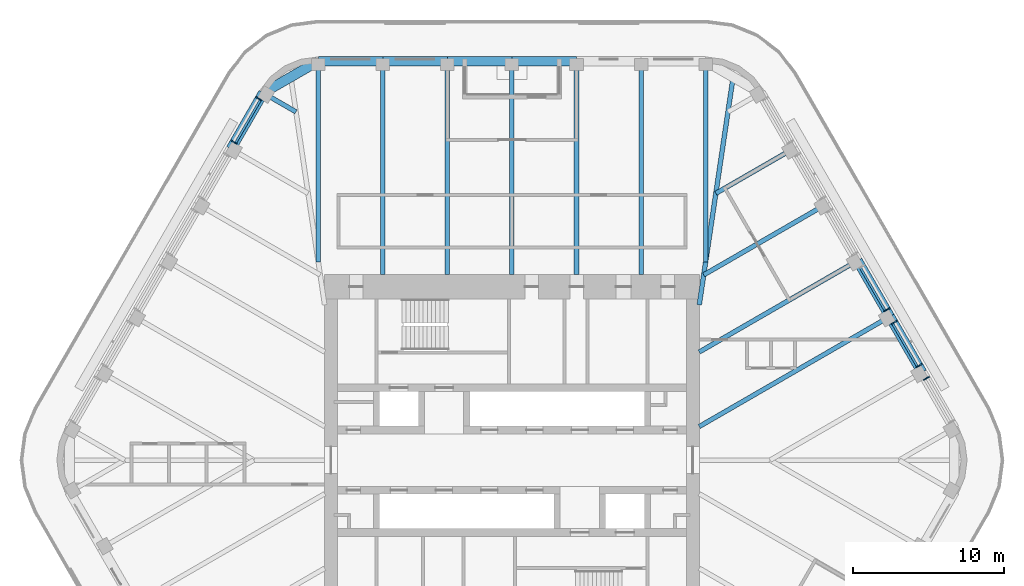
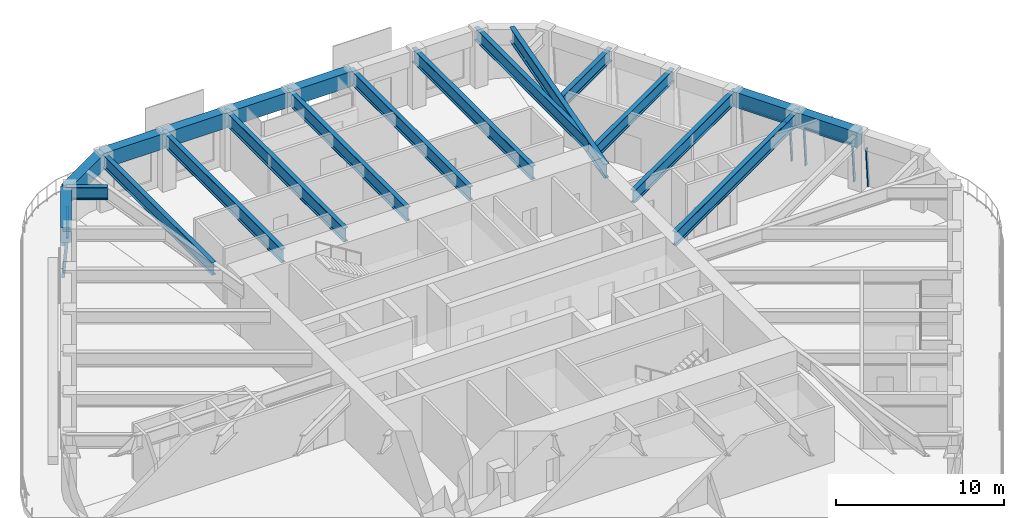
# One storey, part 9 of 19: 21 beams, 9 members, 4 elements without a shape of their own.
"""IFC4 building model written with IfcOpenShell, lengths in metres."""

from ifc_helpers import new_model, si_unit, direction, frame, origin, origin_2d, place, context, subcontext, project, spatial, rectangle, i_section, extrude, material, material_profile, profile_set, type_object, element, aggregate, save


model = new_model("IFC4")

# Units and contexts
model_context = context("Model", 3, precision=1e-05, world=origin(), true_north=direction((0.0, 1.0)))
body_context = subcontext(model_context, "Body", "Model", "MODEL_VIEW")
ifc_project = project(units=[si_unit("LENGTHUNIT", "METRE"), si_unit("AREAUNIT", "SQUARE_METRE"), si_unit("VOLUMEUNIT", "CUBIC_METRE"), si_unit("PLANEANGLEUNIT", "RADIAN"), si_unit("MASSUNIT", "GRAM", prefix="KILO")], contexts=[model_context])

# Site, building, storey
site_placement = place(None, origin())
site = spatial("IfcSite", under=ifc_project, at=site_placement, CompositionType="ELEMENT")
building_placement = place(site_placement, origin())
building = spatial("IfcBuilding", under=site, at=building_placement, Name="Tarfa Lantern Tower", CompositionType="ELEMENT")
storey_placement = place(building_placement, frame((0.0, 0.0, 357.699951171875)))
storey = spatial("IfcBuildingStorey", under=building, at=storey_placement, Name="L81", CompositionType="ELEMENT", Elevation=357.699951171875)

# Curtain wall, member
ifc_material_1 = material(Name="Aluminium framed curtain wall", Category="aluminium")
curtain_wall_type = type_object("IfcCurtainWallType", Name="CW4 CANTED GLAZING EXECUTIVE ZONE 2900", PredefinedType="USERDEFINED", material=ifc_material_1)
curtain_wall_1_placement = place(storey_placement, origin())
curtain_wall_1 = element("IfcCurtainWall", 1, at=curtain_wall_1_placement, inside=storey, type_object=curtain_wall_type, Name="CW4 NE L81", ObjectType="CURTAIN WALL", PredefinedType="USERDEFINED")
ifc_material_2 = material(Name="Aluminium mullion", Category="aluminium")
ifc_material_profile_1 = material_profile(ifc_material_2, rectangle(XDim=0.06494140625, YDim=0.199951171875, at=origin_2d()), Name="AL MULLION 65x200")
ifc_profile_set_1 = profile_set([ifc_material_profile_1], Name="Aluminium mullion")
member_type_1 = type_object("IfcMemberType", Name="CWM1 MULLION 65x200", PredefinedType="MULLION", material=ifc_profile_set_1)
member_1_placement = place(storey_placement, frame((27.602783203125, 5.490478515625, 0.0), z_axis=(-0.074393603155, -0.042941967097, 0.996303959277), x_axis=(0.499919672301, -0.866071776036, 0.0)))
member_1 = element("IfcMember", 2, at=member_1_placement, type_object=member_type_1, Name="CW4 mullion 2", PredefinedType="MULLION", context=body_context, shape_type="SweptSolid", body=[
    extrude(rectangle(XDim=0.06494140625, YDim=0.199951171875, at=origin_2d()), origin(), (0.0, 0.0, 1.0), 2.910888671875),
])
aggregate(curtain_wall_1, [member_1])

# Curtain wall, members
curtain_wall_2_placement = place(storey_placement, origin())
curtain_wall_2 = element("IfcCurtainWall", 3, at=curtain_wall_2_placement, inside=storey, type_object=curtain_wall_type, Name="CW4 NE L81", ObjectType="CURTAIN WALL", PredefinedType="USERDEFINED")
member_2_placement = place(storey_placement, frame((27.120361328125, 6.326171875, 0.0), z_axis=(-0.074393603155, -0.042941967097, 0.996303959277), x_axis=(0.499919672301, -0.866071776036, 0.0)))
member_2 = element("IfcMember", 4, at=member_2_placement, type_object=member_type_1, Name="CW4 mullion 1", PredefinedType="MULLION", context=body_context, shape_type="SweptSolid", body=[
    extrude(rectangle(XDim=0.06494140625, YDim=0.199951171875, at=origin_2d()), origin(), (0.0, 0.0, 1.0), 2.910888671875),
])
member_3_placement = place(storey_placement, frame((25.4619140625, 9.19873046875, 0.0), z_axis=(-0.074393603155, -0.042941967097, 0.996303959277), x_axis=(0.499919672301, -0.866071776036, 0.0)))
member_3 = element("IfcMember", 5, at=member_3_placement, type_object=member_type_1, Name="CW4 mullion 2", PredefinedType="MULLION", context=body_context, shape_type="SweptSolid", body=[
    extrude(rectangle(XDim=0.06494140625, YDim=0.199951171875, at=origin_2d()), origin(), (0.0, 0.0, 1.0), 2.910888671875),
])

# Curtain wall, member
curtain_wall_3_placement = place(storey_placement, origin())
curtain_wall_3 = element("IfcCurtainWall", 6, at=curtain_wall_3_placement, inside=storey, type_object=curtain_wall_type, Name="CW4 NE L81", ObjectType="CURTAIN WALL", PredefinedType="USERDEFINED")
member_4_placement = place(storey_placement, frame((24.979248046875, 10.034423828125, 0.0), z_axis=(-0.074310195522, -0.042942234884, 0.996310172238), x_axis=(0.500342721131, -0.865827443207, 0.0)))
member_4 = element("IfcMember", 7, at=member_4_placement, type_object=member_type_1, Name="CW4 mullion 1", PredefinedType="MULLION", context=body_context, shape_type="SweptSolid", body=[
    extrude(rectangle(XDim=0.06494140625, YDim=0.199951171875, at=origin_2d()), origin(), (0.0, 0.0, 1.0), 2.910888671875),
])

# Curtain wall, members
curtain_wall_4_placement = place(storey_placement, origin())
curtain_wall_4 = element("IfcCurtainWall", 8, at=curtain_wall_4_placement, inside=storey, type_object=curtain_wall_type, Name="CW4 NW L81", ObjectType="CURTAIN WALL", PredefinedType="USERDEFINED")
member_5_placement = place(storey_placement, frame((-16.897705078125, 24.0322265625, 0.0), z_axis=(0.074310195522, -0.042942234884, 0.996310172238), x_axis=(0.500342721131, 0.865827443207, 0.0)))
member_5 = element("IfcMember", 9, at=member_5_placement, type_object=member_type_1, Name="CW4 mullion 1", PredefinedType="MULLION", context=body_context, shape_type="SweptSolid", body=[
    extrude(rectangle(XDim=0.06494140625, YDim=0.199951171875, at=origin_2d()), origin(), (0.0, 0.0, 1.0), 2.910888671875),
])
member_6_placement = place(storey_placement, frame((-18.556396484375, 21.159423828125, 0.0), z_axis=(0.074393603155, -0.042941967097, 0.996303959277), x_axis=(0.499919672301, 0.866071776036, 0.0)))
member_6 = element("IfcMember", 10, at=member_6_placement, type_object=member_type_1, Name="CW4 mullion 2", PredefinedType="MULLION", context=body_context, shape_type="SweptSolid", body=[
    extrude(rectangle(XDim=0.06494140625, YDim=0.199951171875, at=origin_2d()), origin(), (0.0, 0.0, 1.0), 2.910888671875),
])

# Member
ifc_material_3 = material(Name="Aluminium transom", Category="aluminium")
ifc_material_profile_2 = material_profile(ifc_material_3, rectangle(XDim=0.14990234375, YDim=0.06494140625, at=origin_2d()), Name="AL TRANSOM 150x65")
ifc_profile_set_2 = profile_set([ifc_material_profile_2], Name="Aluminium transom")
member_type_2 = type_object("IfcMemberType", Name="CWT1 TRANSOM 150x65", PredefinedType="USERDEFINED", material=ifc_profile_set_2)
member_7_placement = place(storey_placement, frame((26.889892578125, 6.230712890625, 2.867431640625), z_axis=(-0.499982393232, 0.866035568818, 0.0), x_axis=(-0.866035568818, -0.499982393232, 0.0)))
member_7 = element("IfcMember", 11, at=member_7_placement, type_object=member_type_2, Name="CW4 transom 1.2", ObjectType="TRANSOM", PredefinedType="USERDEFINED", context=body_context, shape_type="SweptSolid", body=[
    extrude(rectangle(XDim=0.14990234375, YDim=0.06494140625, at=origin_2d()), origin(), (0.0, 0.0, 1.0), 3.251953125),
])

aggregate(curtain_wall_2, [member_2, member_3, member_7])

member_8_placement = place(storey_placement, frame((24.7490234375, 9.93896484375, 2.867431640625), z_axis=(-0.499982393232, 0.866035568818, 0.0), x_axis=(-0.866035568818, -0.499982393232, 0.0)))
member_8 = element("IfcMember", 12, at=member_8_placement, type_object=member_type_2, Name="CW4 transom 1.2", ObjectType="TRANSOM", PredefinedType="USERDEFINED", context=body_context, shape_type="SweptSolid", body=[
    extrude(rectangle(XDim=0.14990234375, YDim=0.06494140625, at=origin_2d()), origin(), (0.0, 0.0, 1.0), 3.251953125),
])

aggregate(curtain_wall_3, [member_4, member_8])

member_9_placement = place(storey_placement, frame((-16.699951171875, 23.88037109375, 2.867431640625), z_axis=(-0.499982393232, -0.866035568818, 0.0), x_axis=(0.866035568818, -0.499982393232, 0.0)))
member_9 = element("IfcMember", 13, at=member_9_placement, type_object=member_type_2, Name="CW4 transom 1.2", ObjectType="TRANSOM", PredefinedType="USERDEFINED", context=body_context, shape_type="SweptSolid", body=[
    extrude(rectangle(XDim=0.14990234375, YDim=0.06494140625, at=origin_2d()), origin(), (0.0, 0.0, 1.0), 3.251953125),
])

aggregate(curtain_wall_4, [member_5, member_6, member_9])

# Beams
ifc_material_4 = material(Name="Concrete C80/95", Category="concrete")
ifc_material_profile_3 = material_profile(ifc_material_4, rectangle(XDim=0.64990234375, YDim=1.10009765625, at=origin_2d()), Name="RC 650x1100")
ifc_profile_set_3 = profile_set([ifc_material_profile_3], Name="Concrete C80/95")
beam_type_1 = type_object("IfcBeamType", Name="EB4 RC 650x1100", PredefinedType="SPANDREL", material=ifc_profile_set_3)
beam_1_placement = place(storey_placement, frame((27.205810546875, 5.818359375, 3.449951171875), z_axis=(-0.500026801138, 0.866009929587, 0.0), x_axis=(-0.866009929587, -0.500026801138, 0.0)))
element("IfcBeam", 14, at=beam_1_placement, inside=storey, type_object=beam_type_1, Name="Edge beam NE1", PredefinedType="SPANDREL", context=body_context, shape_type="SweptSolid", body=[
    extrude(rectangle(XDim=0.64990234375, YDim=1.10009765625, at=origin_2d()), origin(), (0.0, 0.0, 1.0), 4.281982421875),
])
beam_2_placement = place(storey_placement, frame((25.064697265625, 9.526611328125, 3.449951171875), z_axis=(-0.500002112793, 0.866024183959, 0.0), x_axis=(-0.866024183959, -0.500002112793, 0.0)))
element("IfcBeam", 15, at=beam_2_placement, inside=storey, type_object=beam_type_1, Name="Edge beam NE2", PredefinedType="SPANDREL", context=body_context, shape_type="SweptSolid", body=[
    extrude(rectangle(XDim=0.64990234375, YDim=1.10009765625, at=origin_2d()), origin(), (0.0, 0.0, 1.0), 4.2822265625),
])
for number, where, z_axis, x_axis, name in (
    (16, (4.281982421875, 26.469970703125, 3.449951171875), (-1.0, 0.0, 0.0), (0.0, -1.0, 0.0), "Edge beam N2"),
    (17, (0.0, 26.469970703125, 3.449951171875), (-1.0, 0.0, 0.0), (0.0, -1.0, 0.0), "Edge beam N3"),
    (18, (-4.281982421875, 26.469970703125, 3.449951171875), (-1.0, 0.0, 0.0), (0.0, -1.0, 0.0), "Edge beam N4"),
    (19, (-8.56396484375, 26.469970703125, 3.449951171875), (-1.0, 0.0, 0.0), (0.0, -1.0, 0.0), "Edge beam N5"),
):
    element("IfcBeam", number, at=place(storey_placement, frame(where, z_axis=z_axis, x_axis=x_axis)), inside=storey, type_object=beam_type_1, Name=name, PredefinedType="SPANDREL", context=body_context, shape_type="SweptSolid", body=[
        extrude(rectangle(XDim=0.64990234375, YDim=1.10009765625, at=origin_2d()), origin(), (0.0, 0.0, 1.0), 4.281982421875),
    ])
beam_3_placement = place(storey_placement, frame((-12.845947265625, 26.469970703125, 3.449951171875), z_axis=(-0.866048788483, -0.499959494327, 0.0), x_axis=(0.499959494327, -0.866048788483, 0.0)))
element("IfcBeam", 20, at=beam_3_placement, inside=storey, type_object=beam_type_1, Name="Edge beam N6", PredefinedType="SPANDREL", context=body_context, shape_type="SweptSolid", body=[
    extrude(rectangle(XDim=0.64990234375, YDim=1.10009765625, at=origin_2d()), origin(), (0.0, 0.0, 1.0), 4.219970703125),
])
beam_4_placement = place(storey_placement, frame((-16.500732421875, 24.360107421875, 3.449951171875), z_axis=(-0.499959351497, -0.866048870937, 0.0), x_axis=(0.866048870937, -0.499959351497, 0.0)))
element("IfcBeam", 21, at=beam_4_placement, inside=storey, type_object=beam_type_1, Name="Edge beam NW0", PredefinedType="SPANDREL", context=body_context, shape_type="SweptSolid", body=[
    extrude(rectangle(XDim=0.64990234375, YDim=1.10009765625, at=origin_2d()), origin(), (0.0, 0.0, 1.0), 4.281982421875),
])
ifc_material_5 = material(Name="Steel S460M", Category="steel")
ifc_material_profile_4 = material_profile(ifc_material_5, i_section(OverallWidth=0.302001953125, OverallDepth=1.008056640625, WebThickness=0.02099609375, FlangeThickness=0.0400390625, FilletRadius=0.030029296875, at=origin_2d()), Name="UB1016x305x349")
ifc_profile_set_4 = profile_set([ifc_material_profile_4], Name="Steel S460M")
beam_type_2 = type_object("IfcBeamType", Name="UB1016x305x349", PredefinedType="BEAM", material=ifc_profile_set_4)
beam_5_placement = place(storey_placement, frame((25.064697265625, 9.526611328125, 3.49609375), z_axis=(-0.866029591389, -0.499992746786, 0.0), x_axis=(0.499992746786, -0.866029591389, 0.0)))
element("IfcBeam", 22, at=beam_5_placement, inside=storey, type_object=beam_type_2, Name="Floor beam NE2", PredefinedType="BEAM", context=body_context, shape_type="SweptSolid", body=[
    extrude(i_section(OverallWidth=0.302001953125, OverallDepth=1.008056640625, WebThickness=0.02099609375, FlangeThickness=0.0400390625, FilletRadius=0.030029296875, at=origin_2d()), origin(), (0.0, 0.0, 1.0), 14.594970703125),
])
for number, where, z_axis, x_axis, name in (
    (23, (8.56396484375, 26.469970703125, 3.49609375), (0.0, -1.0, 0.0), (1.0, 0.0, 0.0), "Floor beam N1"),
    (24, (4.281982421875, 26.469970703125, 3.49609375), (0.0, -1.0, 0.0), (1.0, 0.0, 0.0), "Floor beam N2"),
    (25, (0.0, 26.469970703125, 3.49609375), (0.0, -1.0, 0.0), (1.0, 0.0, 0.0), "Floor beam N3"),
    (26, (-4.281982421875, 26.469970703125, 3.49609375), (0.0, -1.0, 0.0), (1.0, 0.0, 0.0), "Floor beam N4"),
    (27, (-8.56396484375, 26.469970703125, 3.49609375), (0.0, -1.0, 0.0), (1.0, 0.0, 0.0), "Floor beam N5"),
):
    element("IfcBeam", number, at=place(storey_placement, frame(where, z_axis=z_axis, x_axis=x_axis)), inside=storey, type_object=beam_type_2, Name=name, PredefinedType="BEAM", context=body_context, shape_type="SweptSolid", body=[
        extrude(i_section(OverallWidth=0.302001953125, OverallDepth=1.008056640625, WebThickness=0.02099609375, FlangeThickness=0.0400390625, FilletRadius=0.030029296875, at=origin_2d()), origin(), (0.0, 0.0, 1.0), 14.169921875),
    ])
ifc_material_profile_5 = material_profile(ifc_material_5, i_section(OverallWidth=0.30859375, OverallDepth=1.036376953125, WebThickness=0.030029296875, FlangeThickness=0.05419921875, FilletRadius=0.030029296875, at=origin_2d()), Name="UB1016x305x487")
ifc_profile_set_5 = profile_set([ifc_material_profile_5], Name="Steel S460M")
beam_type_3 = type_object("IfcBeamType", Name="UB1016x305x487", PredefinedType="BEAM", material=ifc_profile_set_5)
beam_6_placement = place(storey_placement, frame((12.425048828125, 10.300048828125, 3.48193359375), z_axis=(0.147127069073, 0.989117599452, 0.0), x_axis=(-0.989117599452, 0.147127069073, 0.0)))
element("IfcBeam", 28, at=beam_6_placement, inside=storey, type_object=beam_type_3, Name="Hip girder NE", PredefinedType="BEAM", context=body_context, shape_type="SweptSolid", body=[
    extrude(i_section(OverallWidth=0.30859375, OverallDepth=1.036376953125, WebThickness=0.030029296875, FlangeThickness=0.05419921875, FilletRadius=0.030029296875, at=origin_2d()), origin(), (0.0, 0.0, 1.0), 15.28125),
])
ifc_material_profile_6 = material_profile(ifc_material_5, i_section(OverallWidth=0.305419921875, OverallDepth=0.91845703125, WebThickness=0.017333984375, FlangeThickness=0.02783203125, FilletRadius=0.01904296875, at=origin_2d()), Name="UB914x305x253")
ifc_profile_set_6 = profile_set([ifc_material_profile_6], Name="Steel S460M")
beam_type_4 = type_object("IfcBeamType", Name="UB914x305x253", PredefinedType="BEAM", material=ifc_profile_set_6)
beam_7_placement = place(storey_placement, frame((22.923583984375, 13.235107421875, 3.540771484375), z_axis=(-0.86601856927, -0.500011837539, 0.0), x_axis=(0.500011837539, -0.86601856927, 0.0)))
element("IfcBeam", 29, at=beam_7_placement, inside=storey, type_object=beam_type_4, Name="Floor beam NE3", PredefinedType="BEAM", context=body_context, shape_type="SweptSolid", body=[
    extrude(i_section(OverallWidth=0.305419921875, OverallDepth=0.91845703125, WebThickness=0.017333984375, FlangeThickness=0.02783203125, FilletRadius=0.01904296875, at=origin_2d()), origin(), (0.0, 0.0, 1.0), 12.122802734375),
])
beam_8_placement = place(storey_placement, frame((20.78271484375, 16.943359375, 3.540771484375), z_axis=(-0.866021806508, -0.500006230613, 0.0), x_axis=(0.500006230613, -0.866021806508, 0.0)))
element("IfcBeam", 30, at=beam_8_placement, inside=storey, type_object=beam_type_4, Name="Floor beam NE4", PredefinedType="BEAM", context=body_context, shape_type="SweptSolid", body=[
    extrude(i_section(OverallWidth=0.305419921875, OverallDepth=0.91845703125, WebThickness=0.017333984375, FlangeThickness=0.02783203125, FilletRadius=0.01904296875, at=origin_2d()), origin(), (0.0, 0.0, 1.0), 9.30908203125),
])
beam_9_placement = place(storey_placement, frame((18.6416015625, 20.651611328125, 3.540771484375), z_axis=(-0.866024549157, -0.500001480256, 0.0), x_axis=(0.500001480256, -0.866024549157, 0.0)))
element("IfcBeam", 31, at=beam_9_placement, inside=storey, type_object=beam_type_4, Name="Floor beam NE5", PredefinedType="BEAM", context=body_context, shape_type="SweptSolid", body=[
    extrude(i_section(OverallWidth=0.305419921875, OverallDepth=0.91845703125, WebThickness=0.017333984375, FlangeThickness=0.02783203125, FilletRadius=0.01904296875, at=origin_2d()), origin(), (0.0, 0.0, 1.0), 5.90771484375),
])
for number, where, z_axis, x_axis, name in (
    (32, (12.845947265625, 26.469970703125, 3.540771484375), (0.0, -1.0, 0.0), (1.0, 0.0, 0.0), "Floor beam N0"),
    (33, (-12.845947265625, 26.469970703125, 3.540771484375), (0.0, -1.0, 0.0), (1.0, 0.0, 0.0), "Floor beam N6"),
):
    element("IfcBeam", number, at=place(storey_placement, frame(where, z_axis=z_axis, x_axis=x_axis)), inside=storey, type_object=beam_type_4, Name=name, PredefinedType="BEAM", context=body_context, shape_type="SweptSolid", body=[
        extrude(i_section(OverallWidth=0.305419921875, OverallDepth=0.91845703125, WebThickness=0.017333984375, FlangeThickness=0.02783203125, FilletRadius=0.01904296875, at=origin_2d()), origin(), (0.0, 0.0, 1.0), 13.33935546875),
    ])
beam_10_placement = place(storey_placement, frame((-16.500732421875, 24.360107421875, 3.540771484375), z_axis=(0.865992557167, -0.500056887695, 0.0), x_axis=(0.500056887695, 0.865992557167, 0.0)))
element("IfcBeam", 34, at=beam_10_placement, inside=storey, type_object=beam_type_4, Name="Floor beam NW0", PredefinedType="BEAM", context=body_context, shape_type="SweptSolid", body=[
    extrude(i_section(OverallWidth=0.305419921875, OverallDepth=0.91845703125, WebThickness=0.017333984375, FlangeThickness=0.02783203125, FilletRadius=0.01904296875, at=origin_2d()), origin(), (0.0, 0.0, 1.0), 2.506591796875),
])

save(model, "model.ifc")
